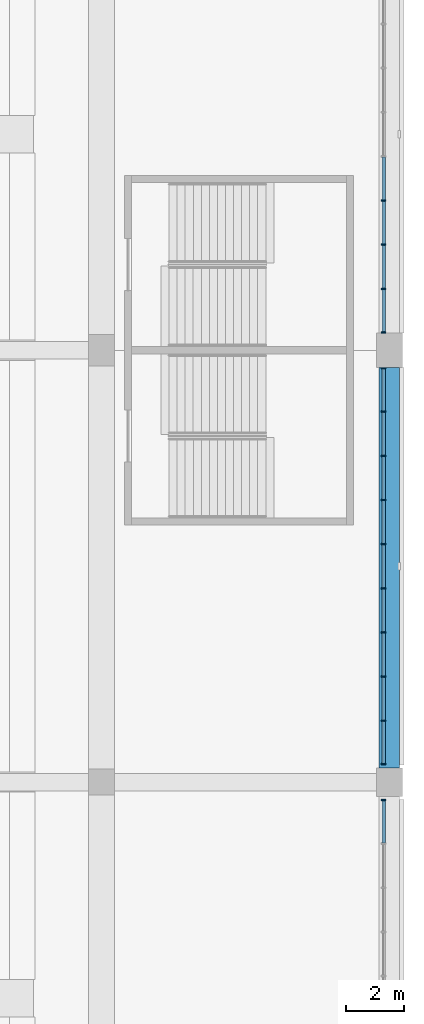
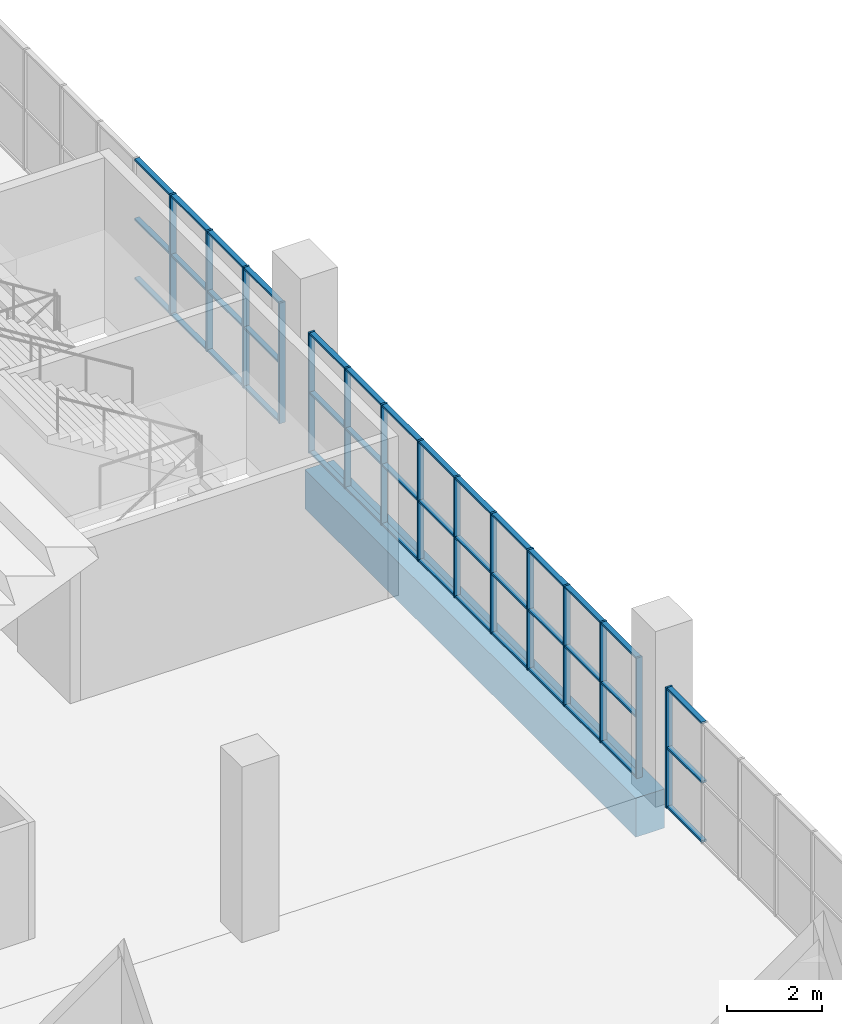
# One storey, part 34 of 249: 57 members, 1 beam, 3 elements without a shape of their own.
"""IFC4 building model written with IfcOpenShell, lengths in metres."""

from ifc_helpers import new_model, si_unit, direction, frame, origin, origin_2d, place, context, subcontext, project, spatial, rectangle, extrude, material, material_profile, profile_set, type_object, element, aggregate, save


model = new_model("IFC4")

# Units and contexts
model_context = context("Model", 3, precision=1e-05, world=origin(), true_north=direction((0.0, 1.0)))
body_context = subcontext(model_context, "Body", "Model", "MODEL_VIEW")
ifc_project = project(units=[si_unit("LENGTHUNIT", "METRE"), si_unit("AREAUNIT", "SQUARE_METRE"), si_unit("VOLUMEUNIT", "CUBIC_METRE"), si_unit("PLANEANGLEUNIT", "RADIAN"), si_unit("MASSUNIT", "GRAM", prefix="KILO")], contexts=[model_context])

# Site, building, storey
site_placement = place(None, origin())
site = spatial("IfcSite", under=ifc_project, at=site_placement, CompositionType="ELEMENT")
building_placement = place(site_placement, origin())
building = spatial("IfcBuilding", under=site, at=building_placement, Name="Ogive Plaza Stadium", CompositionType="ELEMENT")
storey_placement = place(building_placement, frame((0.0, 0.0, 13.5)))
storey = spatial("IfcBuildingStorey", under=building, at=storey_placement, Name="L03", CompositionType="ELEMENT", Elevation=13.5)

# Curtain wall, members
ifc_material_1 = material(Name="Bronze-anodised aluminium with laminated glass", Category="aluminium")
curtain_wall_type = type_object("IfcCurtainWallType", Name="Lancet curtain wall", PredefinedType="NOTDEFINED", material=ifc_material_1)
curtain_wall_1_placement = place(storey_placement, origin())
curtain_wall_1 = element("IfcCurtainWall", 1, at=curtain_wall_1_placement, inside=storey, type_object=curtain_wall_type, Name="CURTAIN WALL B05 L03", PredefinedType="NOTDEFINED")
ifc_material_2 = material(Name="Bronze-anodised aluminium", Category="aluminium")
ifc_material_profile_1 = material_profile(ifc_material_2, rectangle(XDim=0.14990234375, YDim=0.050048828125, at=origin_2d()), Name="AL 150x50")
ifc_profile_set_1 = profile_set([ifc_material_profile_1], Name="Bronze-anodised aluminium")
member_type_1 = type_object("IfcMemberType", Name="Curtain wall mullion 50x150", PredefinedType="MULLION", material=ifc_profile_set_1)
member_1_placement = place(storey_placement, frame((83.800048828125, -17.300048828125, 0.0), z_axis=(0.0, 0.0, 1.0), x_axis=(1.0, 0.0, 0.0)))
member_1 = element("IfcMember", 2, at=member_1_placement, type_object=member_type_1, Name="CW-B05-L03 mullion 7", PredefinedType="MULLION", context=body_context, shape_type="SweptSolid", body=[
    extrude(rectangle(XDim=0.14990234375, YDim=0.050048828125, at=origin_2d()), origin(), (0.0, 0.0, 1.0), 3.090087890625),
])
member_2_placement = place(storey_placement, frame((83.800048828125, -18.833251953125, 0.0), z_axis=(0.0, 0.0, 1.0), x_axis=(1.0, 0.0, 0.0)))
member_2 = element("IfcMember", 3, at=member_2_placement, type_object=member_type_1, Name="CW-B05-L03 mullion 8", PredefinedType="MULLION", context=body_context, shape_type="SweptSolid", body=[
    extrude(rectangle(XDim=0.14990234375, YDim=0.050048828125, at=origin_2d()), origin(), (0.0, 0.0, 1.0), 3.090087890625),
])
member_3_placement = place(storey_placement, frame((83.800048828125, -20.36669921875, 0.0), z_axis=(0.0, 0.0, 1.0), x_axis=(1.0, 0.0, 0.0)))
member_3 = element("IfcMember", 4, at=member_3_placement, type_object=member_type_1, Name="CW-B05-L03 mullion 9", PredefinedType="MULLION", context=body_context, shape_type="SweptSolid", body=[
    extrude(rectangle(XDim=0.14990234375, YDim=0.050048828125, at=origin_2d()), origin(), (0.0, 0.0, 1.0), 3.090087890625),
])
member_4_placement = place(storey_placement, frame((83.800048828125, -21.875, 0.0), z_axis=(0.0, 0.0, 1.0), x_axis=(1.0, 0.0, 0.0)))
member_4 = element("IfcMember", 5, at=member_4_placement, type_object=member_type_1, Name="CW-B05-L03 mullion 10", PredefinedType="MULLION", context=body_context, shape_type="SweptSolid", body=[
    extrude(rectangle(XDim=0.14990234375, YDim=0.050048828125, at=origin_2d()), origin(), (0.0, 0.0, 1.0), 3.090087890625),
])

curtain_wall_2_placement = place(storey_placement, origin())
curtain_wall_2 = element("IfcCurtainWall", 6, at=curtain_wall_2_placement, inside=storey, type_object=curtain_wall_type, Name="CURTAIN WALL B06 L03", PredefinedType="NOTDEFINED")
member_5_placement = place(storey_placement, frame((83.800048828125, -23.125, 0.0), z_axis=(0.0, 0.0, 1.0), x_axis=(1.0, 0.0, 0.0)))
member_5 = element("IfcMember", 7, at=member_5_placement, type_object=member_type_1, Name="CW-B06-L03 mullion 1", PredefinedType="MULLION", context=body_context, shape_type="SweptSolid", body=[
    extrude(rectangle(XDim=0.14990234375, YDim=0.050048828125, at=origin_2d()), origin(), (0.0, 0.0, 1.0), 3.090087890625),
])
member_6_placement = place(storey_placement, frame((83.800048828125, -24.63330078125, 0.0), z_axis=(0.0, 0.0, 1.0), x_axis=(1.0, 0.0, 0.0)))
member_6 = element("IfcMember", 8, at=member_6_placement, type_object=member_type_1, Name="CW-B06-L03 mullion 2", PredefinedType="MULLION", context=body_context, shape_type="SweptSolid", body=[
    extrude(rectangle(XDim=0.14990234375, YDim=0.050048828125, at=origin_2d()), origin(), (0.0, 0.0, 1.0), 3.090087890625),
])
member_7_placement = place(storey_placement, frame((83.800048828125, -26.166748046875, 0.0), z_axis=(0.0, 0.0, 1.0), x_axis=(1.0, 0.0, 0.0)))
member_7 = element("IfcMember", 9, at=member_7_placement, type_object=member_type_1, Name="CW-B06-L03 mullion 3", PredefinedType="MULLION", context=body_context, shape_type="SweptSolid", body=[
    extrude(rectangle(XDim=0.14990234375, YDim=0.050048828125, at=origin_2d()), origin(), (0.0, 0.0, 1.0), 3.090087890625),
])
member_8_placement = place(storey_placement, frame((83.800048828125, -27.699951171875, 0.0), z_axis=(0.0, 0.0, 1.0), x_axis=(1.0, 0.0, 0.0)))
member_8 = element("IfcMember", 10, at=member_8_placement, type_object=member_type_1, Name="CW-B06-L03 mullion 4", PredefinedType="MULLION", context=body_context, shape_type="SweptSolid", body=[
    extrude(rectangle(XDim=0.14990234375, YDim=0.050048828125, at=origin_2d()), origin(), (0.0, 0.0, 1.0), 3.090087890625),
])
member_9_placement = place(storey_placement, frame((83.800048828125, -29.2333984375, 0.0), z_axis=(0.0, 0.0, 1.0), x_axis=(1.0, 0.0, 0.0)))
member_9 = element("IfcMember", 11, at=member_9_placement, type_object=member_type_1, Name="CW-B06-L03 mullion 5", PredefinedType="MULLION", context=body_context, shape_type="SweptSolid", body=[
    extrude(rectangle(XDim=0.14990234375, YDim=0.050048828125, at=origin_2d()), origin(), (0.0, 0.0, 1.0), 3.090087890625),
])
member_10_placement = place(storey_placement, frame((83.800048828125, -30.7666015625, 0.0), z_axis=(0.0, 0.0, 1.0), x_axis=(1.0, 0.0, 0.0)))
member_10 = element("IfcMember", 12, at=member_10_placement, type_object=member_type_1, Name="CW-B06-L03 mullion 6", PredefinedType="MULLION", context=body_context, shape_type="SweptSolid", body=[
    extrude(rectangle(XDim=0.14990234375, YDim=0.050048828125, at=origin_2d()), origin(), (0.0, 0.0, 1.0), 3.090087890625),
])
member_11_placement = place(storey_placement, frame((83.800048828125, -32.300048828125, 0.0), z_axis=(0.0, 0.0, 1.0), x_axis=(1.0, 0.0, 0.0)))
member_11 = element("IfcMember", 13, at=member_11_placement, type_object=member_type_1, Name="CW-B06-L03 mullion 7", PredefinedType="MULLION", context=body_context, shape_type="SweptSolid", body=[
    extrude(rectangle(XDim=0.14990234375, YDim=0.050048828125, at=origin_2d()), origin(), (0.0, 0.0, 1.0), 3.090087890625),
])
member_12_placement = place(storey_placement, frame((83.800048828125, -33.833251953125, 0.0), z_axis=(0.0, 0.0, 1.0), x_axis=(1.0, 0.0, 0.0)))
member_12 = element("IfcMember", 14, at=member_12_placement, type_object=member_type_1, Name="CW-B06-L03 mullion 8", PredefinedType="MULLION", context=body_context, shape_type="SweptSolid", body=[
    extrude(rectangle(XDim=0.14990234375, YDim=0.050048828125, at=origin_2d()), origin(), (0.0, 0.0, 1.0), 3.090087890625),
])
member_13_placement = place(storey_placement, frame((83.800048828125, -35.36669921875, 0.0), z_axis=(0.0, 0.0, 1.0), x_axis=(1.0, 0.0, 0.0)))
member_13 = element("IfcMember", 15, at=member_13_placement, type_object=member_type_1, Name="CW-B06-L03 mullion 9", PredefinedType="MULLION", context=body_context, shape_type="SweptSolid", body=[
    extrude(rectangle(XDim=0.14990234375, YDim=0.050048828125, at=origin_2d()), origin(), (0.0, 0.0, 1.0), 3.090087890625),
])
member_14_placement = place(storey_placement, frame((83.800048828125, -36.875, 0.0), z_axis=(0.0, 0.0, 1.0), x_axis=(1.0, 0.0, 0.0)))
member_14 = element("IfcMember", 16, at=member_14_placement, type_object=member_type_1, Name="CW-B06-L03 mullion 10", PredefinedType="MULLION", context=body_context, shape_type="SweptSolid", body=[
    extrude(rectangle(XDim=0.14990234375, YDim=0.050048828125, at=origin_2d()), origin(), (0.0, 0.0, 1.0), 3.090087890625),
])

# Curtain wall, member
curtain_wall_3_placement = place(storey_placement, origin())
curtain_wall_3 = element("IfcCurtainWall", 17, at=curtain_wall_3_placement, inside=storey, type_object=curtain_wall_type, Name="CURTAIN WALL B07 L03", PredefinedType="NOTDEFINED")
member_15_placement = place(storey_placement, frame((83.800048828125, -38.125, 0.0), z_axis=(0.0, 0.0, 1.0), x_axis=(1.0, 0.0, 0.0)))
member_15 = element("IfcMember", 18, at=member_15_placement, type_object=member_type_1, Name="CW-B07-L03 mullion 1", PredefinedType="MULLION", context=body_context, shape_type="SweptSolid", body=[
    extrude(rectangle(XDim=0.14990234375, YDim=0.050048828125, at=origin_2d()), origin(), (0.0, 0.0, 1.0), 3.090087890625),
])

# Member
ifc_material_3 = material(Name="Bronze-anodised aluminium", Category="aluminium")
ifc_material_profile_2 = material_profile(ifc_material_3, rectangle(XDim=0.1201171875, YDim=0.050048828125, at=origin_2d()), Name="AL 120x50")
ifc_profile_set_2 = profile_set([ifc_material_profile_2], Name="Bronze-anodised aluminium")
member_type_2 = type_object("IfcMemberType", Name="Curtain wall transom 50x120", PredefinedType="USERDEFINED", material=ifc_profile_set_2)
member_16_placement = place(storey_placement, frame((83.800048828125, -15.791748046875, 0.02490234375), z_axis=(0.0, -1.0, 0.0), x_axis=(1.0, 0.0, 0.0)))
member_16 = element("IfcMember", 19, at=member_16_placement, type_object=member_type_2, Name="CW-B05-L03 transom 6.1", ObjectType="TRANSOM", PredefinedType="USERDEFINED", context=body_context, shape_type="SweptSolid", body=[
    extrude(rectangle(XDim=0.1201171875, YDim=0.050048828125, at=origin_2d()), origin(), (0.0, 0.0, 1.0), 1.483154296875),
])

member_17_placement = place(storey_placement, frame((83.800048828125, -15.791748046875, 1.544921875), z_axis=(0.0, -1.0, 0.0), x_axis=(1.0, 0.0, 0.0)))
member_17 = element("IfcMember", 20, at=member_17_placement, type_object=member_type_2, Name="CW-B05-L03 transom 6.2", ObjectType="TRANSOM", PredefinedType="USERDEFINED", context=body_context, shape_type="SweptSolid", body=[
    extrude(rectangle(XDim=0.1201171875, YDim=0.050048828125, at=origin_2d()), origin(), (0.0, 0.0, 1.0), 1.483154296875),
])

member_18_placement = place(storey_placement, frame((83.800048828125, -15.791748046875, 3.06494140625), z_axis=(0.0, -1.0, 0.0), x_axis=(1.0, 0.0, 0.0)))
member_18 = element("IfcMember", 21, at=member_18_placement, type_object=member_type_2, Name="CW-B05-L03 transom 6.3", ObjectType="TRANSOM", PredefinedType="USERDEFINED", context=body_context, shape_type="SweptSolid", body=[
    extrude(rectangle(XDim=0.1201171875, YDim=0.050048828125, at=origin_2d()), origin(), (0.0, 0.0, 1.0), 1.483154296875),
])

member_19_placement = place(storey_placement, frame((83.800048828125, -17.324951171875, 0.02490234375), z_axis=(0.0, -1.0, 0.0), x_axis=(1.0, 0.0, 0.0)))
member_19 = element("IfcMember", 22, at=member_19_placement, type_object=member_type_2, Name="CW-B05-L03 transom 7.1", ObjectType="TRANSOM", PredefinedType="USERDEFINED", context=body_context, shape_type="SweptSolid", body=[
    extrude(rectangle(XDim=0.1201171875, YDim=0.050048828125, at=origin_2d()), origin(), (0.0, 0.0, 1.0), 1.4833984375),
])

member_20_placement = place(storey_placement, frame((83.800048828125, -17.324951171875, 1.544921875), z_axis=(0.0, -1.0, 0.0), x_axis=(1.0, 0.0, 0.0)))
member_20 = element("IfcMember", 23, at=member_20_placement, type_object=member_type_2, Name="CW-B05-L03 transom 7.2", ObjectType="TRANSOM", PredefinedType="USERDEFINED", context=body_context, shape_type="SweptSolid", body=[
    extrude(rectangle(XDim=0.1201171875, YDim=0.050048828125, at=origin_2d()), origin(), (0.0, 0.0, 1.0), 1.4833984375),
])

member_21_placement = place(storey_placement, frame((83.800048828125, -17.324951171875, 3.06494140625), z_axis=(0.0, -1.0, 0.0), x_axis=(1.0, 0.0, 0.0)))
member_21 = element("IfcMember", 24, at=member_21_placement, type_object=member_type_2, Name="CW-B05-L03 transom 7.3", ObjectType="TRANSOM", PredefinedType="USERDEFINED", context=body_context, shape_type="SweptSolid", body=[
    extrude(rectangle(XDim=0.1201171875, YDim=0.050048828125, at=origin_2d()), origin(), (0.0, 0.0, 1.0), 1.4833984375),
])

member_22_placement = place(storey_placement, frame((83.800048828125, -18.8583984375, 0.02490234375), z_axis=(0.0, -1.0, 0.0), x_axis=(1.0, 0.0, 0.0)))
member_22 = element("IfcMember", 25, at=member_22_placement, type_object=member_type_2, Name="CW-B05-L03 transom 8.1", ObjectType="TRANSOM", PredefinedType="USERDEFINED", context=body_context, shape_type="SweptSolid", body=[
    extrude(rectangle(XDim=0.1201171875, YDim=0.050048828125, at=origin_2d()), origin(), (0.0, 0.0, 1.0), 1.483154296875),
])

member_23_placement = place(storey_placement, frame((83.800048828125, -18.8583984375, 1.544921875), z_axis=(0.0, -1.0, 0.0), x_axis=(1.0, 0.0, 0.0)))
member_23 = element("IfcMember", 26, at=member_23_placement, type_object=member_type_2, Name="CW-B05-L03 transom 8.2", ObjectType="TRANSOM", PredefinedType="USERDEFINED", context=body_context, shape_type="SweptSolid", body=[
    extrude(rectangle(XDim=0.1201171875, YDim=0.050048828125, at=origin_2d()), origin(), (0.0, 0.0, 1.0), 1.483154296875),
])

member_24_placement = place(storey_placement, frame((83.800048828125, -18.8583984375, 3.06494140625), z_axis=(0.0, -1.0, 0.0), x_axis=(1.0, 0.0, 0.0)))
member_24 = element("IfcMember", 27, at=member_24_placement, type_object=member_type_2, Name="CW-B05-L03 transom 8.3", ObjectType="TRANSOM", PredefinedType="USERDEFINED", context=body_context, shape_type="SweptSolid", body=[
    extrude(rectangle(XDim=0.1201171875, YDim=0.050048828125, at=origin_2d()), origin(), (0.0, 0.0, 1.0), 1.483154296875),
])

member_25_placement = place(storey_placement, frame((83.800048828125, -20.3916015625, 0.02490234375), z_axis=(0.0, -1.0, 0.0), x_axis=(1.0, 0.0, 0.0)))
member_25 = element("IfcMember", 28, at=member_25_placement, type_object=member_type_2, Name="CW-B05-L03 transom 9.1", ObjectType="TRANSOM", PredefinedType="USERDEFINED", context=body_context, shape_type="SweptSolid", body=[
    extrude(rectangle(XDim=0.1201171875, YDim=0.050048828125, at=origin_2d()), origin(), (0.0, 0.0, 1.0), 1.45849609375),
])

member_26_placement = place(storey_placement, frame((83.800048828125, -20.3916015625, 1.544921875), z_axis=(0.0, -1.0, 0.0), x_axis=(1.0, 0.0, 0.0)))
member_26 = element("IfcMember", 29, at=member_26_placement, type_object=member_type_2, Name="CW-B05-L03 transom 9.2", ObjectType="TRANSOM", PredefinedType="USERDEFINED", context=body_context, shape_type="SweptSolid", body=[
    extrude(rectangle(XDim=0.1201171875, YDim=0.050048828125, at=origin_2d()), origin(), (0.0, 0.0, 1.0), 1.45849609375),
])

member_27_placement = place(storey_placement, frame((83.800048828125, -20.3916015625, 3.06494140625), z_axis=(0.0, -1.0, 0.0), x_axis=(1.0, 0.0, 0.0)))
member_27 = element("IfcMember", 30, at=member_27_placement, type_object=member_type_2, Name="CW-B05-L03 transom 9.3", ObjectType="TRANSOM", PredefinedType="USERDEFINED", context=body_context, shape_type="SweptSolid", body=[
    extrude(rectangle(XDim=0.1201171875, YDim=0.050048828125, at=origin_2d()), origin(), (0.0, 0.0, 1.0), 1.45849609375),
])

aggregate(curtain_wall_1, [member_1, member_2, member_3, member_4, member_16, member_17, member_18, member_19, member_20, member_21, member_22, member_23, member_24, member_25, member_26, member_27])

member_28_placement = place(storey_placement, frame((83.800048828125, -23.14990234375, 0.02490234375), z_axis=(0.0, -1.0, 0.0), x_axis=(1.0, 0.0, 0.0)))
member_28 = element("IfcMember", 31, at=member_28_placement, type_object=member_type_2, Name="CW-B06-L03 transom 1.1", ObjectType="TRANSOM", PredefinedType="USERDEFINED", context=body_context, shape_type="SweptSolid", body=[
    extrude(rectangle(XDim=0.1201171875, YDim=0.050048828125, at=origin_2d()), origin(), (0.0, 0.0, 1.0), 1.45849609375),
])

member_29_placement = place(storey_placement, frame((83.800048828125, -23.14990234375, 1.544921875), z_axis=(0.0, -1.0, 0.0), x_axis=(1.0, 0.0, 0.0)))
member_29 = element("IfcMember", 32, at=member_29_placement, type_object=member_type_2, Name="CW-B06-L03 transom 1.2", ObjectType="TRANSOM", PredefinedType="USERDEFINED", context=body_context, shape_type="SweptSolid", body=[
    extrude(rectangle(XDim=0.1201171875, YDim=0.050048828125, at=origin_2d()), origin(), (0.0, 0.0, 1.0), 1.45849609375),
])

member_30_placement = place(storey_placement, frame((83.800048828125, -23.14990234375, 3.06494140625), z_axis=(0.0, -1.0, 0.0), x_axis=(1.0, 0.0, 0.0)))
member_30 = element("IfcMember", 33, at=member_30_placement, type_object=member_type_2, Name="CW-B06-L03 transom 1.3", ObjectType="TRANSOM", PredefinedType="USERDEFINED", context=body_context, shape_type="SweptSolid", body=[
    extrude(rectangle(XDim=0.1201171875, YDim=0.050048828125, at=origin_2d()), origin(), (0.0, 0.0, 1.0), 1.45849609375),
])

member_31_placement = place(storey_placement, frame((83.800048828125, -24.658447265625, 0.02490234375), z_axis=(0.0, -1.0, 0.0), x_axis=(1.0, 0.0, 0.0)))
member_31 = element("IfcMember", 34, at=member_31_placement, type_object=member_type_2, Name="CW-B06-L03 transom 2.1", ObjectType="TRANSOM", PredefinedType="USERDEFINED", context=body_context, shape_type="SweptSolid", body=[
    extrude(rectangle(XDim=0.1201171875, YDim=0.050048828125, at=origin_2d()), origin(), (0.0, 0.0, 1.0), 1.483154296875),
])

member_32_placement = place(storey_placement, frame((83.800048828125, -24.658447265625, 1.544921875), z_axis=(0.0, -1.0, 0.0), x_axis=(1.0, 0.0, 0.0)))
member_32 = element("IfcMember", 35, at=member_32_placement, type_object=member_type_2, Name="CW-B06-L03 transom 2.2", ObjectType="TRANSOM", PredefinedType="USERDEFINED", context=body_context, shape_type="SweptSolid", body=[
    extrude(rectangle(XDim=0.1201171875, YDim=0.050048828125, at=origin_2d()), origin(), (0.0, 0.0, 1.0), 1.483154296875),
])

member_33_placement = place(storey_placement, frame((83.800048828125, -24.658447265625, 3.06494140625), z_axis=(0.0, -1.0, 0.0), x_axis=(1.0, 0.0, 0.0)))
member_33 = element("IfcMember", 36, at=member_33_placement, type_object=member_type_2, Name="CW-B06-L03 transom 2.3", ObjectType="TRANSOM", PredefinedType="USERDEFINED", context=body_context, shape_type="SweptSolid", body=[
    extrude(rectangle(XDim=0.1201171875, YDim=0.050048828125, at=origin_2d()), origin(), (0.0, 0.0, 1.0), 1.483154296875),
])

member_34_placement = place(storey_placement, frame((83.800048828125, -26.191650390625, 0.02490234375), z_axis=(0.0, -1.0, 0.0), x_axis=(1.0, 0.0, 0.0)))
member_34 = element("IfcMember", 37, at=member_34_placement, type_object=member_type_2, Name="CW-B06-L03 transom 3.1", ObjectType="TRANSOM", PredefinedType="USERDEFINED", context=body_context, shape_type="SweptSolid", body=[
    extrude(rectangle(XDim=0.1201171875, YDim=0.050048828125, at=origin_2d()), origin(), (0.0, 0.0, 1.0), 1.4833984375),
])

member_35_placement = place(storey_placement, frame((83.800048828125, -26.191650390625, 1.544921875), z_axis=(0.0, -1.0, 0.0), x_axis=(1.0, 0.0, 0.0)))
member_35 = element("IfcMember", 38, at=member_35_placement, type_object=member_type_2, Name="CW-B06-L03 transom 3.2", ObjectType="TRANSOM", PredefinedType="USERDEFINED", context=body_context, shape_type="SweptSolid", body=[
    extrude(rectangle(XDim=0.1201171875, YDim=0.050048828125, at=origin_2d()), origin(), (0.0, 0.0, 1.0), 1.4833984375),
])

member_36_placement = place(storey_placement, frame((83.800048828125, -26.191650390625, 3.06494140625), z_axis=(0.0, -1.0, 0.0), x_axis=(1.0, 0.0, 0.0)))
member_36 = element("IfcMember", 39, at=member_36_placement, type_object=member_type_2, Name="CW-B06-L03 transom 3.3", ObjectType="TRANSOM", PredefinedType="USERDEFINED", context=body_context, shape_type="SweptSolid", body=[
    extrude(rectangle(XDim=0.1201171875, YDim=0.050048828125, at=origin_2d()), origin(), (0.0, 0.0, 1.0), 1.4833984375),
])

member_37_placement = place(storey_placement, frame((83.800048828125, -27.72509765625, 0.02490234375), z_axis=(0.0, -1.0, 0.0), x_axis=(1.0, 0.0, 0.0)))
member_37 = element("IfcMember", 40, at=member_37_placement, type_object=member_type_2, Name="CW-B06-L03 transom 4.1", ObjectType="TRANSOM", PredefinedType="USERDEFINED", context=body_context, shape_type="SweptSolid", body=[
    extrude(rectangle(XDim=0.1201171875, YDim=0.050048828125, at=origin_2d()), origin(), (0.0, 0.0, 1.0), 1.483154296875),
])

member_38_placement = place(storey_placement, frame((83.800048828125, -27.72509765625, 1.544921875), z_axis=(0.0, -1.0, 0.0), x_axis=(1.0, 0.0, 0.0)))
member_38 = element("IfcMember", 41, at=member_38_placement, type_object=member_type_2, Name="CW-B06-L03 transom 4.2", ObjectType="TRANSOM", PredefinedType="USERDEFINED", context=body_context, shape_type="SweptSolid", body=[
    extrude(rectangle(XDim=0.1201171875, YDim=0.050048828125, at=origin_2d()), origin(), (0.0, 0.0, 1.0), 1.483154296875),
])

member_39_placement = place(storey_placement, frame((83.800048828125, -27.72509765625, 3.06494140625), z_axis=(0.0, -1.0, 0.0), x_axis=(1.0, 0.0, 0.0)))
member_39 = element("IfcMember", 42, at=member_39_placement, type_object=member_type_2, Name="CW-B06-L03 transom 4.3", ObjectType="TRANSOM", PredefinedType="USERDEFINED", context=body_context, shape_type="SweptSolid", body=[
    extrude(rectangle(XDim=0.1201171875, YDim=0.050048828125, at=origin_2d()), origin(), (0.0, 0.0, 1.0), 1.483154296875),
])

member_40_placement = place(storey_placement, frame((83.800048828125, -29.25830078125, 0.02490234375), z_axis=(0.0, -1.0, 0.0), x_axis=(1.0, 0.0, 0.0)))
member_40 = element("IfcMember", 43, at=member_40_placement, type_object=member_type_2, Name="CW-B06-L03 transom 5.1", ObjectType="TRANSOM", PredefinedType="USERDEFINED", context=body_context, shape_type="SweptSolid", body=[
    extrude(rectangle(XDim=0.1201171875, YDim=0.050048828125, at=origin_2d()), origin(), (0.0, 0.0, 1.0), 1.4833984375),
])

member_41_placement = place(storey_placement, frame((83.800048828125, -29.25830078125, 1.544921875), z_axis=(0.0, -1.0, 0.0), x_axis=(1.0, 0.0, 0.0)))
member_41 = element("IfcMember", 44, at=member_41_placement, type_object=member_type_2, Name="CW-B06-L03 transom 5.2", ObjectType="TRANSOM", PredefinedType="USERDEFINED", context=body_context, shape_type="SweptSolid", body=[
    extrude(rectangle(XDim=0.1201171875, YDim=0.050048828125, at=origin_2d()), origin(), (0.0, 0.0, 1.0), 1.4833984375),
])

member_42_placement = place(storey_placement, frame((83.800048828125, -29.25830078125, 3.06494140625), z_axis=(0.0, -1.0, 0.0), x_axis=(1.0, 0.0, 0.0)))
member_42 = element("IfcMember", 45, at=member_42_placement, type_object=member_type_2, Name="CW-B06-L03 transom 5.3", ObjectType="TRANSOM", PredefinedType="USERDEFINED", context=body_context, shape_type="SweptSolid", body=[
    extrude(rectangle(XDim=0.1201171875, YDim=0.050048828125, at=origin_2d()), origin(), (0.0, 0.0, 1.0), 1.4833984375),
])

member_43_placement = place(storey_placement, frame((83.800048828125, -30.791748046875, 0.02490234375), z_axis=(0.0, -1.0, 0.0), x_axis=(1.0, 0.0, 0.0)))
member_43 = element("IfcMember", 46, at=member_43_placement, type_object=member_type_2, Name="CW-B06-L03 transom 6.1", ObjectType="TRANSOM", PredefinedType="USERDEFINED", context=body_context, shape_type="SweptSolid", body=[
    extrude(rectangle(XDim=0.1201171875, YDim=0.050048828125, at=origin_2d()), origin(), (0.0, 0.0, 1.0), 1.483154296875),
])

member_44_placement = place(storey_placement, frame((83.800048828125, -30.791748046875, 1.544921875), z_axis=(0.0, -1.0, 0.0), x_axis=(1.0, 0.0, 0.0)))
member_44 = element("IfcMember", 47, at=member_44_placement, type_object=member_type_2, Name="CW-B06-L03 transom 6.2", ObjectType="TRANSOM", PredefinedType="USERDEFINED", context=body_context, shape_type="SweptSolid", body=[
    extrude(rectangle(XDim=0.1201171875, YDim=0.050048828125, at=origin_2d()), origin(), (0.0, 0.0, 1.0), 1.483154296875),
])

member_45_placement = place(storey_placement, frame((83.800048828125, -30.791748046875, 3.06494140625), z_axis=(0.0, -1.0, 0.0), x_axis=(1.0, 0.0, 0.0)))
member_45 = element("IfcMember", 48, at=member_45_placement, type_object=member_type_2, Name="CW-B06-L03 transom 6.3", ObjectType="TRANSOM", PredefinedType="USERDEFINED", context=body_context, shape_type="SweptSolid", body=[
    extrude(rectangle(XDim=0.1201171875, YDim=0.050048828125, at=origin_2d()), origin(), (0.0, 0.0, 1.0), 1.483154296875),
])

member_46_placement = place(storey_placement, frame((83.800048828125, -32.324951171875, 0.02490234375), z_axis=(0.0, -1.0, 0.0), x_axis=(1.0, 0.0, 0.0)))
member_46 = element("IfcMember", 49, at=member_46_placement, type_object=member_type_2, Name="CW-B06-L03 transom 7.1", ObjectType="TRANSOM", PredefinedType="USERDEFINED", context=body_context, shape_type="SweptSolid", body=[
    extrude(rectangle(XDim=0.1201171875, YDim=0.050048828125, at=origin_2d()), origin(), (0.0, 0.0, 1.0), 1.4833984375),
])

member_47_placement = place(storey_placement, frame((83.800048828125, -32.324951171875, 1.544921875), z_axis=(0.0, -1.0, 0.0), x_axis=(1.0, 0.0, 0.0)))
member_47 = element("IfcMember", 50, at=member_47_placement, type_object=member_type_2, Name="CW-B06-L03 transom 7.2", ObjectType="TRANSOM", PredefinedType="USERDEFINED", context=body_context, shape_type="SweptSolid", body=[
    extrude(rectangle(XDim=0.1201171875, YDim=0.050048828125, at=origin_2d()), origin(), (0.0, 0.0, 1.0), 1.4833984375),
])

member_48_placement = place(storey_placement, frame((83.800048828125, -32.324951171875, 3.06494140625), z_axis=(0.0, -1.0, 0.0), x_axis=(1.0, 0.0, 0.0)))
member_48 = element("IfcMember", 51, at=member_48_placement, type_object=member_type_2, Name="CW-B06-L03 transom 7.3", ObjectType="TRANSOM", PredefinedType="USERDEFINED", context=body_context, shape_type="SweptSolid", body=[
    extrude(rectangle(XDim=0.1201171875, YDim=0.050048828125, at=origin_2d()), origin(), (0.0, 0.0, 1.0), 1.4833984375),
])

member_49_placement = place(storey_placement, frame((83.800048828125, -33.8583984375, 0.02490234375), z_axis=(0.0, -1.0, 0.0), x_axis=(1.0, 0.0, 0.0)))
member_49 = element("IfcMember", 52, at=member_49_placement, type_object=member_type_2, Name="CW-B06-L03 transom 8.1", ObjectType="TRANSOM", PredefinedType="USERDEFINED", context=body_context, shape_type="SweptSolid", body=[
    extrude(rectangle(XDim=0.1201171875, YDim=0.050048828125, at=origin_2d()), origin(), (0.0, 0.0, 1.0), 1.483154296875),
])

member_50_placement = place(storey_placement, frame((83.800048828125, -33.8583984375, 1.544921875), z_axis=(0.0, -1.0, 0.0), x_axis=(1.0, 0.0, 0.0)))
member_50 = element("IfcMember", 53, at=member_50_placement, type_object=member_type_2, Name="CW-B06-L03 transom 8.2", ObjectType="TRANSOM", PredefinedType="USERDEFINED", context=body_context, shape_type="SweptSolid", body=[
    extrude(rectangle(XDim=0.1201171875, YDim=0.050048828125, at=origin_2d()), origin(), (0.0, 0.0, 1.0), 1.483154296875),
])

member_51_placement = place(storey_placement, frame((83.800048828125, -33.8583984375, 3.06494140625), z_axis=(0.0, -1.0, 0.0), x_axis=(1.0, 0.0, 0.0)))
member_51 = element("IfcMember", 54, at=member_51_placement, type_object=member_type_2, Name="CW-B06-L03 transom 8.3", ObjectType="TRANSOM", PredefinedType="USERDEFINED", context=body_context, shape_type="SweptSolid", body=[
    extrude(rectangle(XDim=0.1201171875, YDim=0.050048828125, at=origin_2d()), origin(), (0.0, 0.0, 1.0), 1.483154296875),
])

member_52_placement = place(storey_placement, frame((83.800048828125, -35.3916015625, 0.02490234375), z_axis=(0.0, -1.0, 0.0), x_axis=(1.0, 0.0, 0.0)))
member_52 = element("IfcMember", 55, at=member_52_placement, type_object=member_type_2, Name="CW-B06-L03 transom 9.1", ObjectType="TRANSOM", PredefinedType="USERDEFINED", context=body_context, shape_type="SweptSolid", body=[
    extrude(rectangle(XDim=0.1201171875, YDim=0.050048828125, at=origin_2d()), origin(), (0.0, 0.0, 1.0), 1.45849609375),
])

member_53_placement = place(storey_placement, frame((83.800048828125, -35.3916015625, 1.544921875), z_axis=(0.0, -1.0, 0.0), x_axis=(1.0, 0.0, 0.0)))
member_53 = element("IfcMember", 56, at=member_53_placement, type_object=member_type_2, Name="CW-B06-L03 transom 9.2", ObjectType="TRANSOM", PredefinedType="USERDEFINED", context=body_context, shape_type="SweptSolid", body=[
    extrude(rectangle(XDim=0.1201171875, YDim=0.050048828125, at=origin_2d()), origin(), (0.0, 0.0, 1.0), 1.45849609375),
])

member_54_placement = place(storey_placement, frame((83.800048828125, -35.3916015625, 3.06494140625), z_axis=(0.0, -1.0, 0.0), x_axis=(1.0, 0.0, 0.0)))
member_54 = element("IfcMember", 57, at=member_54_placement, type_object=member_type_2, Name="CW-B06-L03 transom 9.3", ObjectType="TRANSOM", PredefinedType="USERDEFINED", context=body_context, shape_type="SweptSolid", body=[
    extrude(rectangle(XDim=0.1201171875, YDim=0.050048828125, at=origin_2d()), origin(), (0.0, 0.0, 1.0), 1.45849609375),
])

aggregate(curtain_wall_2, [member_5, member_6, member_7, member_8, member_9, member_10, member_11, member_12, member_13, member_14, member_28, member_29, member_30, member_31, member_32, member_33, member_34, member_35, member_36, member_37, member_38, member_39, member_40, member_41, member_42, member_43, member_44, member_45, member_46, member_47, member_48, member_49, member_50, member_51, member_52, member_53, member_54])

member_55_placement = place(storey_placement, frame((83.800048828125, -38.14990234375, 0.02490234375), z_axis=(0.0, -1.0, 0.0), x_axis=(1.0, 0.0, 0.0)))
member_55 = element("IfcMember", 58, at=member_55_placement, type_object=member_type_2, Name="CW-B07-L03 transom 1.1", ObjectType="TRANSOM", PredefinedType="USERDEFINED", context=body_context, shape_type="SweptSolid", body=[
    extrude(rectangle(XDim=0.1201171875, YDim=0.050048828125, at=origin_2d()), origin(), (0.0, 0.0, 1.0), 1.45849609375),
])

member_56_placement = place(storey_placement, frame((83.800048828125, -38.14990234375, 1.544921875), z_axis=(0.0, -1.0, 0.0), x_axis=(1.0, 0.0, 0.0)))
member_56 = element("IfcMember", 59, at=member_56_placement, type_object=member_type_2, Name="CW-B07-L03 transom 1.2", ObjectType="TRANSOM", PredefinedType="USERDEFINED", context=body_context, shape_type="SweptSolid", body=[
    extrude(rectangle(XDim=0.1201171875, YDim=0.050048828125, at=origin_2d()), origin(), (0.0, 0.0, 1.0), 1.45849609375),
])

member_57_placement = place(storey_placement, frame((83.800048828125, -38.14990234375, 3.06494140625), z_axis=(0.0, -1.0, 0.0), x_axis=(1.0, 0.0, 0.0)))
member_57 = element("IfcMember", 60, at=member_57_placement, type_object=member_type_2, Name="CW-B07-L03 transom 1.3", ObjectType="TRANSOM", PredefinedType="USERDEFINED", context=body_context, shape_type="SweptSolid", body=[
    extrude(rectangle(XDim=0.1201171875, YDim=0.050048828125, at=origin_2d()), origin(), (0.0, 0.0, 1.0), 1.45849609375),
])

aggregate(curtain_wall_3, [member_15, member_55, member_56, member_57])

# Beam
ifc_material_4 = material(Name="Concrete C40/50", Category="concrete")
ifc_material_profile_3 = material_profile(ifc_material_4, rectangle(XDim=0.699951171875, YDim=1.0, at=origin_2d()), Name="RC 700x1000")
ifc_profile_set_3 = profile_set([ifc_material_profile_3], Name="Concrete C40/50")
beam_type = type_object("IfcBeamType", Name="RC spandrel beam 700x1000", PredefinedType="SPANDREL", material=ifc_profile_set_3)
beam_placement = place(storey_placement, frame((84.0, -23.10009765625, -0.909912109375), z_axis=(0.0, -1.0, 0.0), x_axis=(1.0, 0.0, 0.0)))
element("IfcBeam", 61, at=beam_placement, inside=storey, type_object=beam_type, Name="Ring beam F5 L03 B06", PredefinedType="SPANDREL", context=body_context, shape_type="SweptSolid", body=[
    extrude(rectangle(XDim=0.699951171875, YDim=1.0, at=origin_2d()), origin(), (0.0, 0.0, 1.0), 13.89990234375),
])

save(model, "model.ifc")
